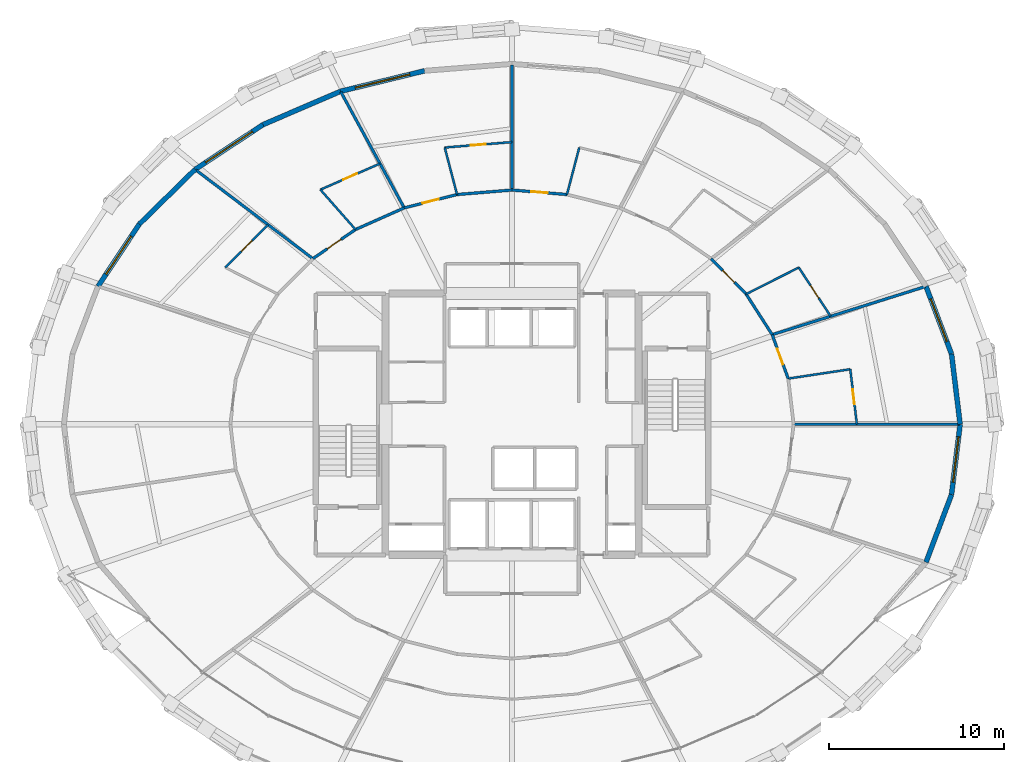
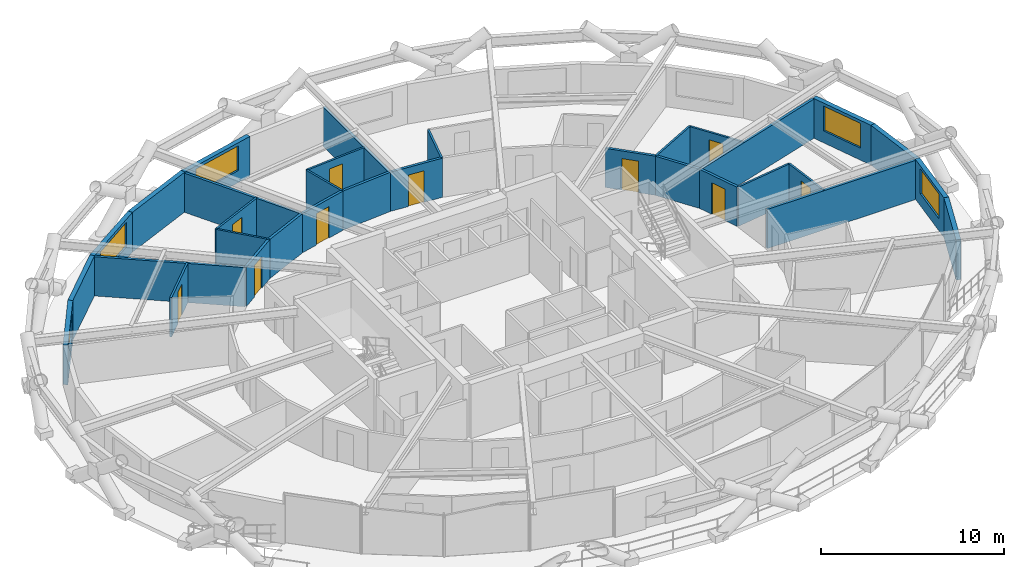
# One storey, part 14 of 17: 32 walls, 10 doors, 5 windows, 15 openings.
"""IFC4 building model written with IfcOpenShell, lengths in metres."""

from ifc_helpers import new_model, si_unit, direction, frame, frame_2d, origin, place, context, subcontext, project, spatial, rectangle, extrude, material, layer, layer_set, type_object, element, fill, save


model = new_model("IFC4")

# Units and contexts
model_context = context("Model", 3, precision=1e-05, world=origin(), true_north=direction((0.0, 1.0)))
body_context = subcontext(model_context, "Body", "Model", "MODEL_VIEW")
ifc_project = project(units=[si_unit("LENGTHUNIT", "METRE"), si_unit("AREAUNIT", "SQUARE_METRE"), si_unit("VOLUMEUNIT", "CUBIC_METRE"), si_unit("PLANEANGLEUNIT", "RADIAN"), si_unit("MASSUNIT", "GRAM", prefix="KILO")], contexts=[model_context])

# Site, building, storey
site_placement = place(None, origin())
site = spatial("IfcSite", under=ifc_project, at=site_placement, CompositionType="ELEMENT")
building_placement = place(site_placement, origin())
building = spatial("IfcBuilding", under=site, at=building_placement, Name="Veldorina Hangang Commons", CompositionType="ELEMENT")
storey_placement = place(building_placement, frame((0.0, 0.0, 30.39990234375)))
storey = spatial("IfcBuildingStorey", under=building, at=storey_placement, Name="L06", CompositionType="ELEMENT", Elevation=30.39990234375)

# Wall
ifc_material_1 = material(Name="Stone Roman Travertine", Category="masonry")
ifc_layer_1 = layer(ifc_material_1, 0.280029296875)
ifc_layer_set_1 = layer_set([ifc_layer_1], Name="Stone Roman Travertine")
wall_type_1 = type_object("IfcWallType", Name="EW-TRAV-280", PredefinedType="STANDARD", material=ifc_layer_set_1)
wall_1_placement = place(storey_placement, frame((57.5400390625, 24.0, 0.0), z_axis=(0.0, 0.0, 1.0), x_axis=(-0.121555781987, 0.992584601868, 0.0)))
element("IfcWall", 1, at=wall_1_placement, inside=storey, type_object=wall_type_1, Name="L06 travertine facade wall 00", PredefinedType="STANDARD", context=body_context, shape_type="SweptSolid", body=[
    extrude(rectangle(XDim=4.037109375, YDim=0.280029296875, at=frame_2d((2.0185546875, 0.0))), origin(), (0.0, 0.0, 1.0), 2.650146484375),
])

# Wall, opening, window
wall_2_placement = place(storey_placement, frame((57.04931640625, 28.007080078125, 0.0), z_axis=(0.0, 0.0, 1.0), x_axis=(-0.352909401731, 0.935657498324, 0.0)))
wall_2 = element("IfcWall", 2, at=wall_2_placement, inside=storey, type_object=wall_type_1, Name="L06 travertine facade wall 01", PredefinedType="STANDARD", context=body_context, shape_type="SweptSolid", body=[
    extrude(rectangle(XDim=4.1181640625, YDim=0.280029296875, at=frame_2d((2.05908203125, 0.0))), origin(), (0.0, 0.0, 1.0), 2.650146484375),
])
opening_1_placement = place(wall_2_placement, frame((0.759033203125, 0.0, 0.800048828125)))
opening_1 = element("IfcOpeningElement", 3, at=opening_1_placement, cuts=wall_2, Name="Opening W-02", PredefinedType="OPENING", context=body_context, shape_type="SweptSolid", body=[
    extrude(rectangle(XDim=2.60009765625, YDim=1.64990234375, at=frame_2d((1.300048828125, 0.824951171875))), frame((0.0, 0.14990234375, 0.0), z_axis=(0.0, -1.0, 0.0), x_axis=(1.0, 0.0, 0.0)), (0.0, 0.0, 1.0), 0.300048828125),
])
ifc_material_2 = material(Name="Glass Low-E Triple IGU", Category="glass")
window_type_1 = type_object("IfcWindowType", Name="WIN-TWR-2600", PartitioningType="SINGLE_PANEL", PredefinedType="WINDOW", material=ifc_material_2)
window_1_placement = place(opening_1_placement, origin())
window_1 = element("IfcWindow", 4, at=window_1_placement, inside=storey, type_object=window_type_1, Name="L06 facade window 01", OverallHeight=1.64990234375, OverallWidth=2.60009765625, PartitioningType="SINGLE_PANEL", PredefinedType="WINDOW", context=body_context, shape_type="SweptSolid", body=[
    extrude(rectangle(XDim=2.60009765625, YDim=1.64990234375, at=frame_2d((1.300048828125, 0.824951171875))), frame((0.0, 0.030029296875, 0.0), z_axis=(0.0, -1.0, 0.0), x_axis=(1.0, 0.0, 0.0)), (0.0, 0.0, 1.0), 0.06005859375),
])
fill(opening_1, window_1)

wall_3_placement = place(storey_placement, frame((27.017333984375, 44.145263671875, 0.0), z_axis=(0.0, 0.0, 1.0), x_axis=(-0.97151283312, -0.236986951292, 0.0)))
wall_3 = element("IfcWall", 5, at=wall_3_placement, inside=storey, type_object=wall_type_1, Name="L06 travertine facade wall 09", PredefinedType="STANDARD", context=body_context, shape_type="SweptSolid", body=[
    extrude(rectangle(XDim=4.931396484375, YDim=0.280029296875, at=frame_2d((2.4658203125, 0.0))), origin(), (0.0, 0.0, 1.0), 2.650146484375),
])
opening_2_placement = place(wall_3_placement, frame((0.86572265625, 0.0, 0.800048828125)))
opening_2 = element("IfcOpeningElement", 6, at=opening_2_placement, cuts=wall_3, Name="Opening W-01", PredefinedType="OPENING", context=body_context, shape_type="SweptSolid", body=[
    extrude(rectangle(XDim=3.199951171875, YDim=1.64990234375, at=frame_2d((1.60009765625, 0.824951171875))), frame((0.0, 0.14990234375, 0.0), z_axis=(0.0, -1.0, 0.0), x_axis=(1.0, 0.0, 0.0)), (0.0, 0.0, 1.0), 0.300048828125),
])
window_type_2 = type_object("IfcWindowType", Name="WIN-TWR-3200", PartitioningType="SINGLE_PANEL", PredefinedType="WINDOW", material=ifc_material_2)
window_2_placement = place(opening_2_placement, origin())
window_2 = element("IfcWindow", 7, at=window_2_placement, inside=storey, type_object=window_type_2, Name="L06 facade window 09", OverallHeight=1.64990234375, OverallWidth=3.199951171875, PartitioningType="SINGLE_PANEL", PredefinedType="WINDOW", context=body_context, shape_type="SweptSolid", body=[
    extrude(rectangle(XDim=3.199951171875, YDim=1.64990234375, at=frame_2d((1.60009765625, 0.824951171875))), frame((0.0, 0.030029296875, 0.0), z_axis=(0.0, -1.0, 0.0), x_axis=(1.0, 0.0, 0.0)), (0.0, 0.0, 1.0), 0.06005859375),
])
fill(opening_2, window_2)

# Wall
wall_4_placement = place(storey_placement, frame((22.226318359375, 42.9765625, 0.0), z_axis=(0.0, 0.0, 1.0), x_axis=(-0.918705683067, -0.394942866629, 0.0)))
element("IfcWall", 8, at=wall_4_placement, inside=storey, type_object=wall_type_1, Name="L06 travertine facade wall 10", PredefinedType="STANDARD", context=body_context, shape_type="SweptSolid", body=[
    extrude(rectangle(XDim=4.80615234375, YDim=0.280029296875, at=frame_2d((2.403076171875, 0.0))), origin(), (0.0, 0.0, 1.0), 2.650146484375),
])

# Wall, opening, window
wall_5_placement = place(storey_placement, frame((17.810791015625, 41.078369140625, 0.0), z_axis=(0.0, 0.0, 1.0), x_axis=(-0.834608922487, -0.550842941776, 0.0)))
wall_5 = element("IfcWall", 9, at=wall_5_placement, inside=storey, type_object=wall_type_1, Name="L06 travertine facade wall 11", PredefinedType="STANDARD", context=body_context, shape_type="SweptSolid", body=[
    extrude(rectangle(XDim=4.637451171875, YDim=0.280029296875, at=frame_2d((2.31884765625, 0.0))), origin(), (0.0, 0.0, 1.0), 2.650146484375),
])
opening_3_placement = place(wall_5_placement, frame((0.718505859375, 0.0, 0.800048828125)))
opening_3 = element("IfcOpeningElement", 10, at=opening_3_placement, cuts=wall_5, Name="Opening W-01", PredefinedType="OPENING", context=body_context, shape_type="SweptSolid", body=[
    extrude(rectangle(XDim=3.199951171875, YDim=1.64990234375, at=frame_2d((1.60009765625, 0.824951171875))), frame((0.0, 0.14990234375, 0.0), z_axis=(0.0, -1.0, 0.0), x_axis=(1.0, 0.0, 0.0)), (0.0, 0.0, 1.0), 0.300048828125),
])
window_3_placement = place(opening_3_placement, origin())
window_3 = element("IfcWindow", 11, at=window_3_placement, inside=storey, type_object=window_type_2, Name="L06 facade window 11", OverallHeight=1.64990234375, OverallWidth=3.199951171875, PartitioningType="SINGLE_PANEL", PredefinedType="WINDOW", context=body_context, shape_type="SweptSolid", body=[
    extrude(rectangle(XDim=3.199951171875, YDim=1.64990234375, at=frame_2d((1.60009765625, 0.824951171875))), frame((0.0, 0.030029296875, 0.0), z_axis=(0.0, -1.0, 0.0), x_axis=(1.0, 0.0, 0.0)), (0.0, 0.0, 1.0), 0.06005859375),
])
fill(opening_3, window_3)

# Wall
wall_6_placement = place(storey_placement, frame((13.9404296875, 38.52392578125, 0.0), z_axis=(0.0, 0.0, 1.0), x_axis=(-0.714207899037, -0.699933623248, 0.0)))
element("IfcWall", 12, at=wall_6_placement, inside=storey, type_object=wall_type_1, Name="L06 travertine facade wall 12", PredefinedType="STANDARD", context=body_context, shape_type="SweptSolid", body=[
    extrude(rectangle(XDim=4.447021484375, YDim=0.280029296875, at=frame_2d((2.2236328125, 0.0))), origin(), (0.0, 0.0, 1.0), 2.650146484375),
])

# Wall, opening, window
wall_7_placement = place(storey_placement, frame((10.764404296875, 35.411376953125, 0.0), z_axis=(0.0, 0.0, 1.0), x_axis=(-0.55356334222, -0.832807076189, 0.0)))
wall_7 = element("IfcWall", 13, at=wall_7_placement, inside=storey, type_object=wall_type_1, Name="L06 travertine facade wall 13", PredefinedType="STANDARD", context=body_context, shape_type="SweptSolid", body=[
    extrude(rectangle(XDim=4.263916015625, YDim=0.280029296875, at=frame_2d((2.1318359375, 0.0))), origin(), (0.0, 0.0, 1.0), 2.650146484375),
])
opening_4_placement = place(wall_7_placement, frame((0.83203125, 0.0, 0.800048828125)))
opening_4 = element("IfcOpeningElement", 14, at=opening_4_placement, cuts=wall_7, Name="Opening W-02", PredefinedType="OPENING", context=body_context, shape_type="SweptSolid", body=[
    extrude(rectangle(XDim=2.60009765625, YDim=1.64990234375, at=frame_2d((1.300048828125, 0.824951171875))), frame((0.0, 0.14990234375, 0.0), z_axis=(0.0, -1.0, 0.0), x_axis=(1.0, 0.0, 0.0)), (0.0, 0.0, 1.0), 0.300048828125),
])
window_4_placement = place(opening_4_placement, origin())
window_4 = element("IfcWindow", 15, at=window_4_placement, inside=storey, type_object=window_type_1, Name="L06 facade window 13", OverallHeight=1.64990234375, OverallWidth=2.60009765625, PartitioningType="SINGLE_PANEL", PredefinedType="WINDOW", context=body_context, shape_type="SweptSolid", body=[
    extrude(rectangle(XDim=2.60009765625, YDim=1.64990234375, at=frame_2d((1.300048828125, 0.824951171875))), frame((0.0, 0.030029296875, 0.0), z_axis=(0.0, -1.0, 0.0), x_axis=(1.0, 0.0, 0.0)), (0.0, 0.0, 1.0), 0.06005859375),
])
fill(opening_4, window_4)

# Wall
wall_8_placement = place(storey_placement, frame((55.595947265625, 16.1396484375, 0.0), z_axis=(0.0, 0.0, 1.0), x_axis=(0.352909401731, 0.935657498324, 0.0)))
element("IfcWall", 16, at=wall_8_placement, inside=storey, type_object=wall_type_1, Name="L06 travertine facade wall 30", PredefinedType="STANDARD", context=body_context, shape_type="SweptSolid", body=[
    extrude(rectangle(XDim=4.1181640625, YDim=0.280029296875, at=frame_2d((2.05908203125, 0.0))), origin(), (0.0, 0.0, 1.0), 2.650146484375),
])

# Wall, opening, window
wall_9_placement = place(storey_placement, frame((57.04931640625, 19.992919921875, 0.0), z_axis=(0.0, 0.0, 1.0), x_axis=(0.121555781987, 0.992584601868, 0.0)))
wall_9 = element("IfcWall", 17, at=wall_9_placement, inside=storey, type_object=wall_type_1, Name="L06 travertine facade wall 31", PredefinedType="STANDARD", context=body_context, shape_type="SweptSolid", body=[
    extrude(rectangle(XDim=4.037109375, YDim=0.280029296875, at=frame_2d((2.0185546875, 0.0))), origin(), (0.0, 0.0, 1.0), 2.650146484375),
])
opening_5_placement = place(wall_9_placement, frame((0.718505859375, 0.0, 0.800048828125)))
opening_5 = element("IfcOpeningElement", 18, at=opening_5_placement, cuts=wall_9, Name="Opening W-02", PredefinedType="OPENING", context=body_context, shape_type="SweptSolid", body=[
    extrude(rectangle(XDim=2.60009765625, YDim=1.64990234375, at=frame_2d((1.300048828125, 0.824951171875))), frame((0.0, 0.14990234375, 0.0), z_axis=(0.0, -1.0, 0.0), x_axis=(1.0, 0.0, 0.0)), (0.0, 0.0, 1.0), 0.300048828125),
])
window_5_placement = place(opening_5_placement, origin())
window_5 = element("IfcWindow", 19, at=window_5_placement, inside=storey, type_object=window_type_1, Name="L06 facade window 31", OverallHeight=1.64990234375, OverallWidth=2.60009765625, PartitioningType="SINGLE_PANEL", PredefinedType="WINDOW", context=body_context, shape_type="SweptSolid", body=[
    extrude(rectangle(XDim=2.60009765625, YDim=1.64990234375, at=frame_2d((1.300048828125, 0.824951171875))), frame((0.0, 0.030029296875, 0.0), z_axis=(0.0, -1.0, 0.0), x_axis=(1.0, 0.0, 0.0)), (0.0, 0.0, 1.0), 0.06005859375),
])
fill(opening_5, window_5)

# Wall, opening, door
ifc_material_3 = material(Name="Gypsum Fire-Rated Twin Stud Wall", Category="gypsum")
ifc_layer_2 = layer(ifc_material_3, 0.159912109375)
ifc_layer_set_2 = layer_set([ifc_layer_2], Name="Gypsum Fire-Rated Twin Stud Wall")
wall_type_2 = type_object("IfcWallType", Name="WL-FIRE-160", PredefinedType="SOLIDWALL", material=ifc_layer_set_2)
wall_10_placement = place(storey_placement, frame((47.74169921875, 26.6044921875, 0.0), z_axis=(0.0, 0.0, 1.0), x_axis=(-0.342617982381, 0.939474809747, 0.0)))
wall_10 = element("IfcWall", 20, at=wall_10_placement, inside=storey, type_object=wall_type_2, Name="L06 Corridor outer wall 01 048", PredefinedType="SOLIDWALL", context=body_context, shape_type="SweptSolid", body=[
    extrude(rectangle(XDim=2.665771484375, YDim=0.159912109375, at=frame_2d((1.3330078125, 0.0))), origin(), (0.0, 0.0, 1.0), 2.610107421875),
])
opening_6_placement = place(wall_10_placement, frame((0.85791015625, 0.0, 0.0)))
opening_6 = element("IfcOpeningElement", 21, at=opening_6_placement, cuts=wall_10, Name="Opening D-03", PredefinedType="OPENING", context=body_context, shape_type="SweptSolid", body=[
    extrude(rectangle(XDim=0.949951171875, YDim=2.10009765625, at=frame_2d((0.47509765625, 1.050048828125))), frame((0.0, 0.08984375, 0.0), z_axis=(0.0, -1.0, 0.0), x_axis=(1.0, 0.0, 0.0)), (0.0, 0.0, 1.0), 0.179931640625),
])
ifc_material_4 = material(Name="Timber Fire-Rated Entrance Core", Category="wood")
door_type_1 = type_object("IfcDoorType", Name="DR-UNIT-950", OperationType="SINGLE_SWING_RIGHT", PredefinedType="DOOR", material=ifc_material_4)
door_1_placement = place(opening_6_placement, origin())
door_1 = element("IfcDoor", 22, at=door_1_placement, inside=storey, type_object=door_type_1, Name="L06 Studio 5 entrance door 030", OperationType="SINGLE_SWING_RIGHT", OverallHeight=2.10009765625, OverallWidth=0.949951171875, PredefinedType="DOOR", context=body_context, shape_type="SweptSolid", body=[
    extrude(rectangle(XDim=0.949951171875, YDim=2.10009765625, at=frame_2d((0.47509765625, 1.050048828125))), frame((0.0, 0.02490234375, 0.0), z_axis=(0.0, -1.0, 0.0), x_axis=(1.0, 0.0, 0.0)), (0.0, 0.0, 1.0), 0.050048828125),
])
fill(opening_6, door_1)

# Wall
wall_11_placement = place(storey_placement, frame((46.828369140625, 29.10888671875, 0.0), z_axis=(0.0, 0.0, 1.0), x_axis=(-0.540595670038, 0.841282545603, 0.0)))
element("IfcWall", 23, at=wall_11_placement, inside=storey, type_object=wall_type_2, Name="L06 Corridor outer wall 02 049", PredefinedType="SOLIDWALL", context=body_context, shape_type="SweptSolid", body=[
    extrude(rectangle(XDim=2.74365234375, YDim=0.159912109375, at=frame_2d((1.371826171875, 0.0))), origin(), (0.0, 0.0, 1.0), 2.610107421875),
])

# Wall, opening, door
wall_12_placement = place(storey_placement, frame((45.34521484375, 31.4169921875, 0.0), z_axis=(0.0, 0.0, 1.0), x_axis=(-0.702366174226, 0.711815816981, 0.0)))
wall_12 = element("IfcWall", 24, at=wall_12_placement, inside=storey, type_object=wall_type_2, Name="L06 Corridor outer wall 03 050", PredefinedType="SOLIDWALL", context=body_context, shape_type="SweptSolid", body=[
    extrude(rectangle(XDim=2.842041015625, YDim=0.159912109375, at=frame_2d((1.4208984375, 0.0))), origin(), (0.0, 0.0, 1.0), 2.610107421875),
])
opening_7_placement = place(wall_12_placement, frame((0.94580078125, 0.0, 0.0)))
opening_7 = element("IfcOpeningElement", 25, at=opening_7_placement, cuts=wall_12, Name="Opening D-03", PredefinedType="OPENING", context=body_context, shape_type="SweptSolid", body=[
    extrude(rectangle(XDim=0.949951171875, YDim=2.10009765625, at=frame_2d((0.47509765625, 1.050048828125))), frame((0.0, 0.08984375, 0.0), z_axis=(0.0, -1.0, 0.0), x_axis=(1.0, 0.0, 0.0)), (0.0, 0.0, 1.0), 0.179931640625),
])
door_2_placement = place(opening_7_placement, origin())
door_2 = element("IfcDoor", 26, at=door_2_placement, inside=storey, type_object=door_type_1, Name="L06 Studio 6 entrance door 032", OperationType="SINGLE_SWING_RIGHT", OverallHeight=2.10009765625, OverallWidth=0.949951171875, PredefinedType="DOOR", context=body_context, shape_type="SweptSolid", body=[
    extrude(rectangle(XDim=0.949951171875, YDim=2.10009765625, at=frame_2d((0.47509765625, 1.050048828125))), frame((0.0, 0.02490234375, 0.0), z_axis=(0.0, -1.0, 0.0), x_axis=(1.0, 0.0, 0.0)), (0.0, 0.0, 1.0), 0.050048828125),
])
fill(opening_7, door_2)

wall_13_placement = place(storey_placement, frame((35.131103515625, 37.093505859375, 0.0), z_axis=(0.0, 0.0, 1.0), x_axis=(-0.996658973252, 0.081675522876, 0.0)))
wall_13 = element("IfcWall", 27, at=wall_13_placement, inside=storey, type_object=wall_type_2, Name="L06 Corridor outer wall 07 054", PredefinedType="SOLIDWALL", context=body_context, shape_type="SweptSolid", body=[
    extrude(rectangle(XDim=3.1416015625, YDim=0.159912109375, at=frame_2d((1.57080078125, 0.0))), origin(), (0.0, 0.0, 1.0), 2.610107421875),
])
opening_8_placement = place(wall_13_placement, frame((1.095703125, 0.0, 0.0)))
opening_8 = element("IfcOpeningElement", 28, at=opening_8_placement, cuts=wall_13, Name="Opening D-03", PredefinedType="OPENING", context=body_context, shape_type="SweptSolid", body=[
    extrude(rectangle(XDim=0.949951171875, YDim=2.10009765625, at=frame_2d((0.47509765625, 1.050048828125))), frame((0.0, 0.08984375, 0.0), z_axis=(0.0, -1.0, 0.0), x_axis=(1.0, 0.0, 0.0)), (0.0, 0.0, 1.0), 0.179931640625),
])
door_3_placement = place(opening_8_placement, origin())
door_3 = element("IfcDoor", 29, at=door_3_placement, inside=storey, type_object=door_type_1, Name="L06 Studio 8 entrance door 036", OperationType="SINGLE_SWING_RIGHT", OverallHeight=2.10009765625, OverallWidth=0.949951171875, PredefinedType="DOOR", context=body_context, shape_type="SweptSolid", body=[
    extrude(rectangle(XDim=0.949951171875, YDim=2.10009765625, at=frame_2d((0.47509765625, 1.050048828125))), frame((0.0, 0.02490234375, 0.0), z_axis=(0.0, -1.0, 0.0), x_axis=(1.0, 0.0, 0.0)), (0.0, 0.0, 1.0), 0.050048828125),
])
fill(opening_8, door_3)

# Wall
wall_14_placement = place(storey_placement, frame((32.0, 37.35009765625, 0.0), z_axis=(0.0, 0.0, 1.0), x_axis=(-0.996658973252, -0.081675522876, 0.0)))
element("IfcWall", 30, at=wall_14_placement, inside=storey, type_object=wall_type_2, Name="L06 Corridor outer wall 08 055", PredefinedType="SOLIDWALL", context=body_context, shape_type="SweptSolid", body=[
    extrude(rectangle(XDim=3.1416015625, YDim=0.159912109375, at=frame_2d((1.57080078125, 0.0))), origin(), (0.0, 0.0, 1.0), 2.610107421875),
])

# Wall, opening, door
wall_15_placement = place(storey_placement, frame((28.868896484375, 37.093505859375, 0.0), z_axis=(0.0, 0.0, 1.0), x_axis=(-0.969608333194, -0.244662380029, 0.0)))
wall_15 = element("IfcWall", 31, at=wall_15_placement, inside=storey, type_object=wall_type_2, Name="L06 Corridor outer wall 09 056", PredefinedType="SOLIDWALL", context=body_context, shape_type="SweptSolid", body=[
    extrude(rectangle(XDim=3.10546875, YDim=0.159912109375, at=frame_2d((1.552734375, 0.0))), origin(), (0.0, 0.0, 1.0), 2.610107421875),
])
opening_9_placement = place(wall_15_placement, frame((1.07763671875, 0.0, 0.0)))
opening_9 = element("IfcOpeningElement", 32, at=opening_9_placement, cuts=wall_15, Name="Opening D-03", PredefinedType="OPENING", context=body_context, shape_type="SweptSolid", body=[
    extrude(rectangle(XDim=0.949951171875, YDim=2.10009765625, at=frame_2d((0.47509765625, 1.050048828125))), frame((0.0, 0.08984375, 0.0), z_axis=(0.0, -1.0, 0.0), x_axis=(1.0, 0.0, 0.0)), (0.0, 0.0, 1.0), 0.179931640625),
])
door_4_placement = place(opening_9_placement, origin())
door_4 = element("IfcDoor", 33, at=door_4_placement, inside=storey, type_object=door_type_1, Name="L06 Studio 9 entrance door 038", OperationType="SINGLE_SWING_RIGHT", OverallHeight=2.10009765625, OverallWidth=0.949951171875, PredefinedType="DOOR", context=body_context, shape_type="SweptSolid", body=[
    extrude(rectangle(XDim=0.949951171875, YDim=2.10009765625, at=frame_2d((0.47509765625, 1.050048828125))), frame((0.0, 0.02490234375, 0.0), z_axis=(0.0, -1.0, 0.0), x_axis=(1.0, 0.0, 0.0)), (0.0, 0.0, 1.0), 0.050048828125),
])
fill(opening_9, door_4)

# Wall
wall_16_placement = place(storey_placement, frame((25.85791015625, 36.333740234375, 0.0), z_axis=(0.0, 0.0, 1.0), x_axis=(-0.913768445178, -0.406235434936, 0.0)))
element("IfcWall", 34, at=wall_16_placement, inside=storey, type_object=wall_type_2, Name="L06 Corridor outer wall 10 057", PredefinedType="SOLIDWALL", context=body_context, shape_type="SweptSolid", body=[
    extrude(rectangle(XDim=3.036865234375, YDim=0.159912109375, at=frame_2d((1.5185546875, 0.0))), origin(), (0.0, 0.0, 1.0), 2.610107421875),
])

# Wall, opening, door
wall_17_placement = place(storey_placement, frame((23.0830078125, 35.10009765625, 0.0), z_axis=(0.0, 0.0, 1.0), x_axis=(-0.825929039072, -0.563774088104, 0.0)))
wall_17 = element("IfcWall", 35, at=wall_17_placement, inside=storey, type_object=wall_type_2, Name="L06 Corridor outer wall 11 058", PredefinedType="SOLIDWALL", context=body_context, shape_type="SweptSolid", body=[
    extrude(rectangle(XDim=2.94482421875, YDim=0.159912109375, at=frame_2d((1.472412109375, 0.0))), origin(), (0.0, 0.0, 1.0), 2.610107421875),
])
opening_10_placement = place(wall_17_placement, frame((0.997314453125, 0.0, 0.0)))
opening_10 = element("IfcOpeningElement", 36, at=opening_10_placement, cuts=wall_17, Name="Opening D-03", PredefinedType="OPENING", context=body_context, shape_type="SweptSolid", body=[
    extrude(rectangle(XDim=0.949951171875, YDim=2.10009765625, at=frame_2d((0.47509765625, 1.050048828125))), frame((0.0, 0.08984375, 0.0), z_axis=(0.0, -1.0, 0.0), x_axis=(1.0, 0.0, 0.0)), (0.0, 0.0, 1.0), 0.179931640625),
])
door_5_placement = place(opening_10_placement, origin())
door_5 = element("IfcDoor", 37, at=door_5_placement, inside=storey, type_object=door_type_1, Name="L06 Studio 10 entrance door 040", OperationType="SINGLE_SWING_RIGHT", OverallHeight=2.10009765625, OverallWidth=0.949951171875, PredefinedType="DOOR", context=body_context, shape_type="SweptSolid", body=[
    extrude(rectangle(XDim=0.949951171875, YDim=2.10009765625, at=frame_2d((0.47509765625, 1.050048828125))), frame((0.0, 0.02490234375, 0.0), z_axis=(0.0, -1.0, 0.0), x_axis=(1.0, 0.0, 0.0)), (0.0, 0.0, 1.0), 0.050048828125),
])
fill(opening_10, door_5)

# Walls
wall_18_placement = place(storey_placement, frame((48.050048828125, 24.0, 0.0), z_axis=(0.0, 0.0, 1.0), x_axis=(1.0, 0.0, 0.0)))
element("IfcWall", 38, at=wall_18_placement, inside=storey, type_object=wall_type_2, Name="L06 Unit party wall 00 093", PredefinedType="SOLIDWALL", context=body_context, shape_type="SweptSolid", body=[
    extrude(rectangle(XDim=9.43994140625, YDim=0.159912109375, at=frame_2d((4.719970703125, 0.0))), origin(), (0.0, 0.0, 1.0), 2.610107421875),
])
wall_19_placement = place(storey_placement, frame((46.828369140625, 29.10888671875, 0.0), z_axis=(0.0, 0.0, 1.0), x_axis=(0.954123744585, 0.299412558218, 0.0)))
element("IfcWall", 39, at=wall_19_placement, inside=storey, type_object=wall_type_2, Name="L06 Unit party wall 02 096", PredefinedType="SOLIDWALL", context=body_context, shape_type="SweptSolid", body=[
    extrude(rectangle(XDim=9.138916015625, YDim=0.159912109375, at=frame_2d((4.5693359375, 0.0))), origin(), (0.0, 0.0, 1.0), 2.610107421875),
])
wall_20_placement = place(storey_placement, frame((32.0, 37.35009765625, 0.0), z_axis=(0.0, 0.0, 1.0), x_axis=(0.0, 1.0, 0.0)))
element("IfcWall", 40, at=wall_20_placement, inside=storey, type_object=wall_type_2, Name="L06 Unit party wall 08 105", PredefinedType="SOLIDWALL", context=body_context, shape_type="SweptSolid", body=[
    extrude(rectangle(XDim=7.139892578125, YDim=0.159912109375, at=frame_2d((3.56982421875, 0.0))), origin(), (0.0, 0.0, 1.0), 2.610107421875),
])
wall_21_placement = place(storey_placement, frame((25.85791015625, 36.333740234375, 0.0), z_axis=(0.0, 0.0, 1.0), x_axis=(-0.479700277593, 0.877432415447, 0.0)))
element("IfcWall", 41, at=wall_21_placement, inside=storey, type_object=wall_type_2, Name="L06 Unit party wall 10 108", PredefinedType="SOLIDWALL", context=body_context, shape_type="SweptSolid", body=[
    extrude(rectangle(XDim=7.520751953125, YDim=0.159912109375, at=frame_2d((3.76025390625, 0.0))), origin(), (0.0, 0.0, 1.0), 2.610107421875),
])
wall_22_placement = place(storey_placement, frame((20.65087890625, 33.43994140625, 0.0), z_axis=(0.0, 0.0, 1.0), x_axis=(-0.797056829768, 0.603904305433, 0.0)))
element("IfcWall", 42, at=wall_22_placement, inside=storey, type_object=wall_type_2, Name="L06 Unit party wall 12 111", PredefinedType="SOLIDWALL", context=body_context, shape_type="SweptSolid", body=[
    extrude(rectangle(XDim=8.368896484375, YDim=0.159912109375, at=frame_2d((4.1845703125, 0.0))), origin(), (0.0, 0.0, 1.0), 2.610107421875),
])

# Wall, opening, door
ifc_material_5 = material(Name="Gypsum Acoustic Stud Partition", Category="gypsum")
ifc_layer_3 = layer(ifc_material_5, 0.1201171875)
ifc_layer_set_3 = layer_set([ifc_layer_3], Name="Gypsum Acoustic Stud Partition")
wall_type_3 = type_object("IfcWallType", Name="WL-PART-120", PredefinedType="PARTITIONING", material=ifc_layer_set_3)
wall_23_placement = place(storey_placement, frame((51.65625, 24.0, 0.0), z_axis=(0.0, 0.0, 1.0), x_axis=(-0.119516875417, 0.992832169347, 0.0)))
wall_23 = element("IfcWall", 43, at=wall_23_placement, inside=storey, type_object=wall_type_3, Name="L06 Studio 5 bath front wall 094", PredefinedType="PARTITIONING", context=body_context, shape_type="SweptSolid", body=[
    extrude(rectangle(XDim=3.16015625, YDim=0.1201171875, at=frame_2d((1.580078125, 0.0))), origin(), (0.0, 0.0, 1.0), 2.610107421875),
])
opening_11_placement = place(wall_23_placement, frame((1.150146484375, 0.0, 0.0)))
opening_11 = element("IfcOpeningElement", 44, at=opening_11_placement, cuts=wall_23, Name="Opening D-01", PredefinedType="OPENING", context=body_context, shape_type="SweptSolid", body=[
    extrude(rectangle(XDim=0.860107421875, YDim=2.10009765625, at=frame_2d((0.43017578125, 1.050048828125))), frame((0.0, 0.070068359375, 0.0), z_axis=(0.0, -1.0, 0.0), x_axis=(1.0, 0.0, 0.0)), (0.0, 0.0, 1.0), 0.14013671875),
])
ifc_material_6 = material(Name="Timber Moisture-Resistant Core", Category="wood")
door_type_2 = type_object("IfcDoorType", Name="DR-WET-860", OperationType="SINGLE_SWING_LEFT", PredefinedType="DOOR", material=ifc_material_6)
door_6_placement = place(opening_11_placement, origin())
door_6 = element("IfcDoor", 45, at=door_6_placement, inside=storey, type_object=door_type_2, Name="L06 Studio 5 bathroom door 029", OperationType="SINGLE_SWING_LEFT", OverallHeight=2.10009765625, OverallWidth=0.860107421875, PredefinedType="DOOR", context=body_context, shape_type="SweptSolid", body=[
    extrude(rectangle(XDim=0.860107421875, YDim=2.10009765625, at=frame_2d((0.43017578125, 1.050048828125))), frame((0.0, 0.02490234375, 0.0), z_axis=(0.0, -1.0, 0.0), x_axis=(1.0, 0.0, 0.0)), (0.0, 0.0, 1.0), 0.050048828125),
])
fill(opening_11, door_6)

# Wall
wall_24_placement = place(storey_placement, frame((47.74169921875, 26.6044921875, 0.0), z_axis=(0.0, 0.0, 1.0), x_axis=(0.988836498225, 0.149004630056, 0.0)))
element("IfcWall", 46, at=wall_24_placement, inside=storey, type_object=wall_type_3, Name="L06 Studio 5 bath side wall 095", PredefinedType="PARTITIONING", context=body_context, shape_type="SweptSolid", body=[
    extrude(rectangle(XDim=3.576904296875, YDim=0.1201171875, at=frame_2d((1.78857421875, 0.0))), origin(), (0.0, 0.0, 1.0), 2.610107421875),
])

# Wall, opening, door
wall_25_placement = place(storey_placement, frame((50.159912109375, 30.154296875, 0.0), z_axis=(0.0, 0.0, 1.0), x_axis=(-0.546906681568, 0.837193574782, 0.0)))
wall_25 = element("IfcWall", 47, at=wall_25_placement, inside=storey, type_object=wall_type_3, Name="L06 Studio 6 bath front wall 097", PredefinedType="PARTITIONING", context=body_context, shape_type="SweptSolid", body=[
    extrude(rectangle(XDim=3.3212890625, YDim=0.1201171875, at=frame_2d((1.66064453125, 0.0))), origin(), (0.0, 0.0, 1.0), 2.610107421875),
])
opening_12_placement = place(wall_25_placement, frame((1.230712890625, 0.0, 0.0)))
opening_12 = element("IfcOpeningElement", 48, at=opening_12_placement, cuts=wall_25, Name="Opening D-01", PredefinedType="OPENING", context=body_context, shape_type="SweptSolid", body=[
    extrude(rectangle(XDim=0.860107421875, YDim=2.10009765625, at=frame_2d((0.43017578125, 1.050048828125))), frame((0.0, 0.070068359375, 0.0), z_axis=(0.0, -1.0, 0.0), x_axis=(1.0, 0.0, 0.0)), (0.0, 0.0, 1.0), 0.14013671875),
])
door_7_placement = place(opening_12_placement, origin())
door_7 = element("IfcDoor", 49, at=door_7_placement, inside=storey, type_object=door_type_2, Name="L06 Studio 6 bathroom door 031", OperationType="SINGLE_SWING_LEFT", OverallHeight=2.10009765625, OverallWidth=0.860107421875, PredefinedType="DOOR", context=body_context, shape_type="SweptSolid", body=[
    extrude(rectangle(XDim=0.860107421875, YDim=2.10009765625, at=frame_2d((0.43017578125, 1.050048828125))), frame((0.0, 0.02490234375, 0.0), z_axis=(0.0, -1.0, 0.0), x_axis=(1.0, 0.0, 0.0)), (0.0, 0.0, 1.0), 0.050048828125),
])
fill(opening_12, door_7)

# Walls
wall_26_placement = place(storey_placement, frame((45.34521484375, 31.4169921875, 0.0), z_axis=(0.0, 0.0, 1.0), x_axis=(0.892193104213, 0.451654142895, 0.0)))
element("IfcWall", 50, at=wall_26_placement, inside=storey, type_object=wall_type_3, Name="L06 Studio 6 bath side wall 098", PredefinedType="PARTITIONING", context=body_context, shape_type="SweptSolid", body=[
    extrude(rectangle(XDim=3.360595703125, YDim=0.1201171875, at=frame_2d((1.68017578125, 0.0))), origin(), (0.0, 0.0, 1.0), 2.610107421875),
])
wall_27_placement = place(storey_placement, frame((35.131103515625, 37.093505859375, 0.0), z_axis=(0.0, 0.0, 1.0), x_axis=(0.253964079931, 0.967213650702, 0.0)))
element("IfcWall", 51, at=wall_27_placement, inside=storey, type_object=wall_type_3, Name="L06 Studio 8 bath side wall 104", PredefinedType="PARTITIONING", context=body_context, shape_type="SweptSolid", body=[
    extrude(rectangle(XDim=2.7705078125, YDim=0.1201171875, at=frame_2d((1.38525390625, 0.0))), origin(), (0.0, 0.0, 1.0), 2.610107421875),
])

# Wall, opening, door
wall_28_placement = place(storey_placement, frame((32.0, 40.082275390625, 0.0), z_axis=(0.0, 0.0, 1.0), x_axis=(-0.996767480524, -0.080340461599, 0.0)))
wall_28 = element("IfcWall", 52, at=wall_28_placement, inside=storey, type_object=wall_type_3, Name="L06 Studio 9 bath front wall 106", PredefinedType="PARTITIONING", context=body_context, shape_type="SweptSolid", body=[
    extrude(rectangle(XDim=3.84716796875, YDim=0.1201171875, at=frame_2d((1.923583984375, 0.0))), origin(), (0.0, 0.0, 1.0), 2.610107421875),
])
opening_13_placement = place(wall_28_placement, frame((1.49365234375, 0.0, 0.0)))
opening_13 = element("IfcOpeningElement", 53, at=opening_13_placement, cuts=wall_28, Name="Opening D-01", PredefinedType="OPENING", context=body_context, shape_type="SweptSolid", body=[
    extrude(rectangle(XDim=0.860107421875, YDim=2.10009765625, at=frame_2d((0.43017578125, 1.050048828125))), frame((0.0, 0.070068359375, 0.0), z_axis=(0.0, -1.0, 0.0), x_axis=(1.0, 0.0, 0.0)), (0.0, 0.0, 1.0), 0.14013671875),
])
door_8_placement = place(opening_13_placement, origin())
door_8 = element("IfcDoor", 54, at=door_8_placement, inside=storey, type_object=door_type_2, Name="L06 Studio 9 bathroom door 037", OperationType="SINGLE_SWING_LEFT", OverallHeight=2.10009765625, OverallWidth=0.860107421875, PredefinedType="DOOR", context=body_context, shape_type="SweptSolid", body=[
    extrude(rectangle(XDim=0.860107421875, YDim=2.10009765625, at=frame_2d((0.43017578125, 1.050048828125))), frame((0.0, 0.02490234375, 0.0), z_axis=(0.0, -1.0, 0.0), x_axis=(1.0, 0.0, 0.0)), (0.0, 0.0, 1.0), 0.050048828125),
])
fill(opening_13, door_8)

# Wall
wall_29_placement = place(storey_placement, frame((28.868896484375, 37.093505859375, 0.0), z_axis=(0.0, 0.0, 1.0), x_axis=(-0.253964079931, 0.967213650702, 0.0)))
element("IfcWall", 55, at=wall_29_placement, inside=storey, type_object=wall_type_3, Name="L06 Studio 9 bath side wall 107", PredefinedType="PARTITIONING", context=body_context, shape_type="SweptSolid", body=[
    extrude(rectangle(XDim=2.7705078125, YDim=0.1201171875, at=frame_2d((1.38525390625, 0.0))), origin(), (0.0, 0.0, 1.0), 2.610107421875),
])

# Wall, opening, door
wall_30_placement = place(storey_placement, frame((24.477783203125, 38.85791015625, 0.0), z_axis=(0.0, 0.0, 1.0), x_axis=(-0.916219264282, -0.400677251361, 0.0)))
wall_30 = element("IfcWall", 56, at=wall_30_placement, inside=storey, type_object=wall_type_3, Name="L06 Studio 10 bath front wall 109", PredefinedType="PARTITIONING", context=body_context, shape_type="SweptSolid", body=[
    extrude(rectangle(XDim=3.708984375, YDim=0.1201171875, at=frame_2d((1.8544921875, 0.0))), origin(), (0.0, 0.0, 1.0), 2.610107421875),
])
opening_14_placement = place(wall_30_placement, frame((1.424560546875, 0.0, 0.0)))
opening_14 = element("IfcOpeningElement", 57, at=opening_14_placement, cuts=wall_30, Name="Opening D-01", PredefinedType="OPENING", context=body_context, shape_type="SweptSolid", body=[
    extrude(rectangle(XDim=0.860107421875, YDim=2.10009765625, at=frame_2d((0.43017578125, 1.050048828125))), frame((0.0, 0.070068359375, 0.0), z_axis=(0.0, -1.0, 0.0), x_axis=(1.0, 0.0, 0.0)), (0.0, 0.0, 1.0), 0.14013671875),
])
door_9_placement = place(opening_14_placement, origin())
door_9 = element("IfcDoor", 58, at=door_9_placement, inside=storey, type_object=door_type_2, Name="L06 Studio 10 bathroom door 039", OperationType="SINGLE_SWING_LEFT", OverallHeight=2.10009765625, OverallWidth=0.860107421875, PredefinedType="DOOR", context=body_context, shape_type="SweptSolid", body=[
    extrude(rectangle(XDim=0.860107421875, YDim=2.10009765625, at=frame_2d((0.43017578125, 1.050048828125))), frame((0.0, 0.02490234375, 0.0), z_axis=(0.0, -1.0, 0.0), x_axis=(1.0, 0.0, 0.0)), (0.0, 0.0, 1.0), 0.050048828125),
])
fill(opening_14, door_9)

# Wall
wall_31_placement = place(storey_placement, frame((23.0830078125, 35.10009765625, 0.0), z_axis=(0.0, 0.0, 1.0), x_axis=(-0.661427007528, 0.750009542414, 0.0)))
element("IfcWall", 59, at=wall_31_placement, inside=storey, type_object=wall_type_3, Name="L06 Studio 10 bath side wall 110", PredefinedType="PARTITIONING", context=body_context, shape_type="SweptSolid", body=[
    extrude(rectangle(XDim=3.029052734375, YDim=0.1201171875, at=frame_2d((1.5146484375, 0.0))), origin(), (0.0, 0.0, 1.0), 2.610107421875),
])

# Wall, opening, door
wall_32_placement = place(storey_placement, frame((18.100830078125, 35.371826171875, 0.0), z_axis=(0.0, 0.0, 1.0), x_axis=(-0.708166962486, -0.706045007944, 0.0)))
wall_32 = element("IfcWall", 60, at=wall_32_placement, inside=storey, type_object=wall_type_3, Name="L06 Studio 11 bath front wall 112", PredefinedType="PARTITIONING", context=body_context, shape_type="SweptSolid", body=[
    extrude(rectangle(XDim=3.45166015625, YDim=0.1201171875, at=frame_2d((1.725830078125, 0.0))), origin(), (0.0, 0.0, 1.0), 2.610107421875),
])
opening_15_placement = place(wall_32_placement, frame((1.2958984375, 0.0, 0.0)))
opening_15 = element("IfcOpeningElement", 61, at=opening_15_placement, cuts=wall_32, Name="Opening D-01", PredefinedType="OPENING", context=body_context, shape_type="SweptSolid", body=[
    extrude(rectangle(XDim=0.860107421875, YDim=2.10009765625, at=frame_2d((0.43017578125, 1.050048828125))), frame((0.0, 0.070068359375, 0.0), z_axis=(0.0, -1.0, 0.0), x_axis=(1.0, 0.0, 0.0)), (0.0, 0.0, 1.0), 0.14013671875),
])
door_10_placement = place(opening_15_placement, origin())
door_10 = element("IfcDoor", 62, at=door_10_placement, inside=storey, type_object=door_type_2, Name="L06 Studio 11 bathroom door 041", OperationType="SINGLE_SWING_LEFT", OverallHeight=2.10009765625, OverallWidth=0.860107421875, PredefinedType="DOOR", context=body_context, shape_type="SweptSolid", body=[
    extrude(rectangle(XDim=0.860107421875, YDim=2.10009765625, at=frame_2d((0.43017578125, 1.050048828125))), frame((0.0, 0.02490234375, 0.0), z_axis=(0.0, -1.0, 0.0), x_axis=(1.0, 0.0, 0.0)), (0.0, 0.0, 1.0), 0.050048828125),
])
fill(opening_15, door_10)

save(model, "model.ifc")
